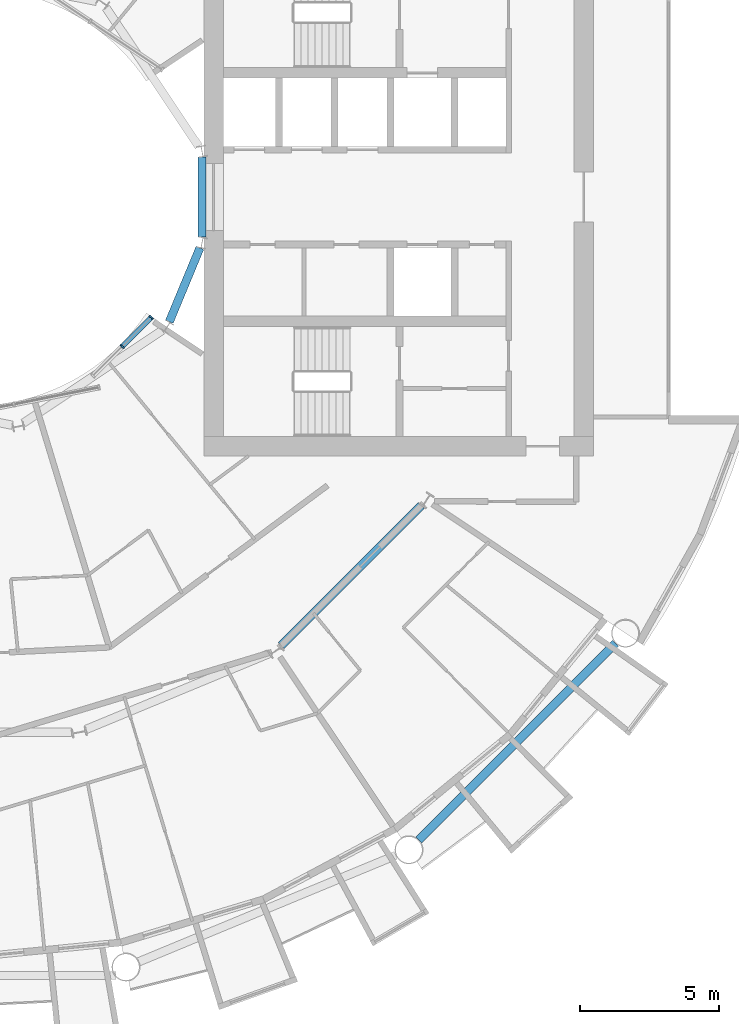
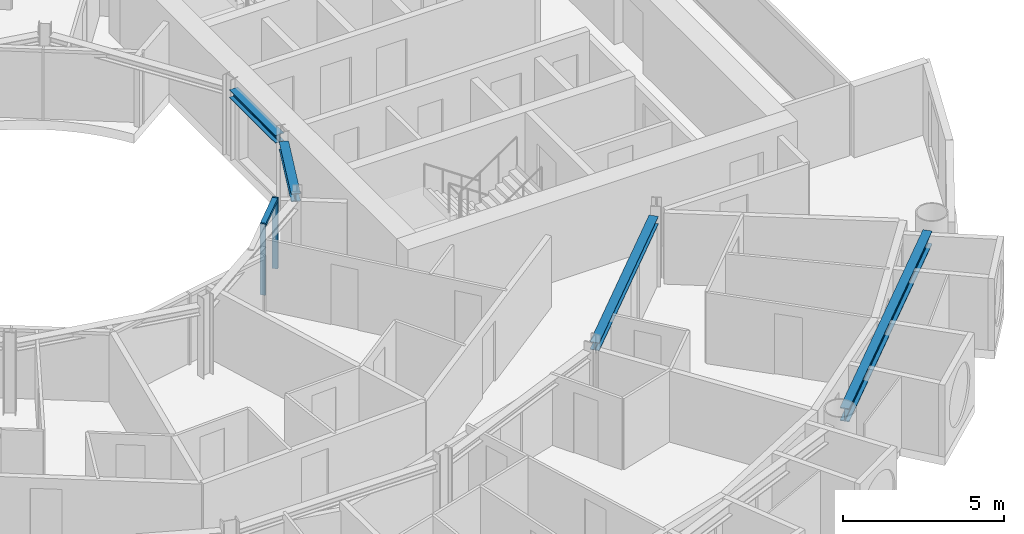
# One storey, part 6 of 26: 4 beams, 3 members, 1 element without a shape of its own.
"""IFC4 building model written with IfcOpenShell, lengths in metres."""

import ifcopenshell
import ifcopenshell.guid

model = None  # the IFC model being written
_history = None  # IfcOwnerHistory: only IFC2X3 demands one
_inside = {}  # id of a spatial element -> (the spatial element, [elements in it])
_under = {}  # id of a project, library or spatial element -> (it, [spatial elements below it])
_declared = {}  # id of a project -> (the project, [libraries it declares])
_typed = {}  # id of a type object -> (the type object, [elements of that type])
_made_of = {}  # id of a material, layer set ... -> (it, [elements and type objects made of it])


def new_model(schema):
    """Start an empty IFC model of exactly this schema.

    Asked for "IFC4X3", IfcOpenShell would pick the latest addendum, in which some entities
    have other attributes; the version numbers below select the first issue.
    IFC2X3 requires an IfcOwnerHistory on every rooted entity: one is made here for all.
    """
    global model, _history
    if schema == "IFC4X3":
        model = ifcopenshell.file(schema_version=(4, 3, 0, 0))
    else:
        model = ifcopenshell.file(schema=schema)
    _inside.clear()
    _under.clear()
    _declared.clear()
    _typed.clear()
    _made_of.clear()
    _history = None
    if model.schema == "IFC2X3":
        org = make("IfcOrganization", Name="unknown")
        user = make(
            "IfcPersonAndOrganization",
            ThePerson=make("IfcPerson", FamilyName="unknown"),
            TheOrganization=org,
        )
        app = make(
            "IfcApplication",
            ApplicationDeveloper=org,
            Version="unknown",
            ApplicationFullName="unknown",
            ApplicationIdentifier="unknown",
        )
        _history = make(
            "IfcOwnerHistory",
            OwningUser=user,
            OwningApplication=app,
            ChangeAction="ADDED",
            CreationDate=0,
        )
    return model


def make(cls, **values):
    """One entity of the class cls with the attributes given. An attribute that is None is left unset."""
    return model.create_entity(
        cls, **{name: value for name, value in values.items() if value is not None}
    )


def rooted(cls, **values):
    """An entity with a GlobalId (a new one), such as an element, a storey or a relation."""
    return make(cls, GlobalId=ifcopenshell.guid.new(), OwnerHistory=_history, **values)


def si_unit(unit_type, name, prefix=None):
    """IfcSIUnit, for example si_unit("LENGTHUNIT", "METRE", prefix="MILLI")."""
    return make("IfcSIUnit", UnitType=unit_type, Prefix=prefix, Name=name)


def assignment(units):
    """IfcUnitAssignment: the units of a project."""
    return None if units is None else make("IfcUnitAssignment", Units=units)


def point(xyz):
    """IfcCartesianPoint."""
    return None if xyz is None else make("IfcCartesianPoint", Coordinates=xyz)


def direction(xyz):
    """IfcDirection."""
    return None if xyz is None else make("IfcDirection", DirectionRatios=xyz)


def frame(location, z_axis=None, x_axis=None):
    """IfcAxis2Placement3D, a coordinate frame: its origin and axes. An axis left out is left unset."""
    return make(
        "IfcAxis2Placement3D",
        Location=point(location),
        Axis=direction(z_axis),
        RefDirection=direction(x_axis),
    )


def frame_2d(location, x_axis=None):
    """IfcAxis2Placement2D, a coordinate frame in the plane: its origin and x axis."""
    return make(
        "IfcAxis2Placement2D", Location=point(location), RefDirection=direction(x_axis)
    )


def origin():
    """The frame at (0, 0, 0) with its axes left unset."""
    return frame((0.0, 0.0, 0.0))


def origin_2d():
    """The frame at (0, 0) in the plane with its x axis left unset."""
    return frame_2d((0.0, 0.0))


def place(relative_to, where):
    """IfcLocalPlacement: puts the frame where relative to a parent placement (None: the world)."""
    return make(
        "IfcLocalPlacement", PlacementRelTo=relative_to, RelativePlacement=where
    )


def context(
    kind, dimensions, precision=None, world=None, true_north=None, identifier=None
):
    """IfcGeometricRepresentationContext, for example the 3D "Model" context."""
    return make(
        "IfcGeometricRepresentationContext",
        ContextIdentifier=identifier,
        ContextType=kind,
        CoordinateSpaceDimension=dimensions,
        Precision=precision,
        WorldCoordinateSystem=world,
        TrueNorth=true_north,
    )


def subcontext(parent, identifier, kind, view, scale=None):
    """IfcGeometricRepresentationSubContext, for example "Body" below "Model"."""
    return make(
        "IfcGeometricRepresentationSubContext",
        ContextIdentifier=identifier,
        ContextType=kind,
        ParentContext=parent,
        TargetScale=scale,
        TargetView=view,
    )


def project(units=None, contexts=None):
    """IfcProject with its units and contexts."""
    return rooted(
        "IfcProject",
        Name="project",
        RepresentationContexts=contexts,
        UnitsInContext=assignment(units),
    )


def spatial(cls, under=None, at=None, **own):
    """A site, building, storey or space (cls), placed at a placement, below another one or the project."""
    s = rooted(cls, ObjectPlacement=at, **own)
    if under is not None:
        _under.setdefault(under.id(), (under, []))[1].append(s)
    return s


def profile(cls, at=None, kind="AREA", **sizes):
    """A parametric profile (cls). Its sizes go by their IFC names, for example OverallWidth=200.0."""
    return make(cls, ProfileType=kind, Position=at, **sizes)


def rectangle(**sizes):
    """IfcRectangleProfileDef."""
    return profile("IfcRectangleProfileDef", **sizes)


def i_section(**sizes):
    """IfcIShapeProfileDef."""
    return profile("IfcIShapeProfileDef", **sizes)


def extrude(swept, where, along, depth):
    """IfcExtrudedAreaSolid: the profile swept, set in the frame where, extruded along a direction by depth."""
    return make(
        "IfcExtrudedAreaSolid",
        SweptArea=swept,
        Position=where,
        ExtrudedDirection=direction(along),
        Depth=depth,
    )


def shape(context_of_items, identifier, shape_type, items):
    """IfcShapeRepresentation: the items that make up one representation, for example the "Body"."""
    return make(
        "IfcShapeRepresentation",
        ContextOfItems=context_of_items,
        RepresentationIdentifier=identifier,
        RepresentationType=shape_type,
        Items=items,
    )


def material(Name=None, Category=None):
    """IfcMaterial."""
    return make("IfcMaterial", Name=Name, Category=Category)


def layer(
    of_material, thickness, ventilated=None, Name=None, Category=None, Priority=None
):
    """IfcMaterialLayer: one layer of a wall or slab, of a material (None: an air gap)."""
    return make(
        "IfcMaterialLayer",
        Material=of_material,
        LayerThickness=thickness,
        IsVentilated=ventilated,
        Name=Name,
        Category=Category,
        Priority=Priority,
    )


def layer_set(layers, Name=None):
    """IfcMaterialLayerSet."""
    return make("IfcMaterialLayerSet", MaterialLayers=layers, LayerSetName=Name)


def material_profile(
    of_material, cross_section, Name=None, Category=None, Priority=None
):
    """IfcMaterialProfile: a cross section and its material."""
    return make(
        "IfcMaterialProfile",
        Name=Name,
        Material=of_material,
        Profile=cross_section,
        Priority=Priority,
        Category=Category,
    )


def profile_set(profiles, Name=None, composite=None):
    """IfcMaterialProfileSet."""
    return make(
        "IfcMaterialProfileSet",
        Name=Name,
        MaterialProfiles=profiles,
        CompositeProfile=composite,
    )


def made_of(thing, what):
    """Note that an element or type object is made of a material, layer set ...; save() writes the relation."""
    if what is not None:
        _made_of.setdefault(what.id(), (what, []))[1].append(thing)
    return thing


def type_object(cls, material=None, **own):
    """A type object (cls), such as IfcWallType, which elements share."""
    return made_of(rooted(cls, **own), material)


def element(
    cls,
    number,
    at=None,
    inside=None,
    cuts=None,
    type_object=None,
    material=None,
    context=None,
    identifier="Body",
    shape_type=None,
    held_by="IfcProductDefinitionShape",
    body=None,
    shapes=None,
    **own,
):
    """One element of the class cls, such as IfcWall. Its Tag is "e" and its number.

    at: its placement. inside: the storey or other place that contains it. cuts: it is an
    opening in that element (IfcRelVoidsElement). A single representation is given by context,
    identifier, shape_type and body (its items); several are given by shapes. held_by: the class
    of the entity that holds the representations. save() writes the other relations.
    """
    e = rooted(cls, Tag="e%d" % number, ObjectPlacement=at, **own)
    if body is not None:
        shapes = [shape(context, identifier, shape_type, body)]
    if shapes is not None:
        e.Representation = make(held_by, Representations=shapes)
    if inside is not None:
        _inside.setdefault(inside.id(), (inside, []))[1].append(e)
    if cuts is not None:
        rooted(
            "IfcRelVoidsElement", RelatingBuildingElement=cuts, RelatedOpeningElement=e
        )
    if type_object is not None:
        _typed.setdefault(type_object.id(), (type_object, []))[1].append(e)
    return made_of(e, material)


def aggregate(whole, parts):
    """IfcRelAggregates: a whole, such as a stair, and the parts it consists of."""
    return rooted("IfcRelAggregates", RelatingObject=whole, RelatedObjects=parts)


def save(model, path):
    """Write the relations noted so far, then the file.

    IfcRelAggregates (storeys below a building ...), IfcRelContainedInSpatialStructure (elements
    in a storey), IfcRelDefinesByType, IfcRelAssociatesMaterial and IfcRelDeclares: one each for
    every whole, place, type object, material and project.
    """
    for whole, parts in _under.values():
        aggregate(whole, parts)
    for where, things in _inside.values():
        rooted(
            "IfcRelContainedInSpatialStructure",
            RelatedElements=things,
            RelatingStructure=where,
        )
    for kind, things in _typed.values():
        rooted("IfcRelDefinesByType", RelatedObjects=things, RelatingType=kind)
    for what, things in _made_of.values():
        rooted("IfcRelAssociatesMaterial", RelatedObjects=things, RelatingMaterial=what)
    for by, libraries in _declared.values():
        rooted("IfcRelDeclares", RelatingContext=by, RelatedDefinitions=libraries)
    model.write(path)


model = new_model("IFC4")

# Units and contexts
model_context = context("Model", 3, precision=1e-05, world=origin(), true_north=direction((0.0, 1.0)))
body_context = subcontext(model_context, "Body", "Model", "MODEL_VIEW")
ifc_project = project(units=[si_unit("LENGTHUNIT", "METRE"), si_unit("AREAUNIT", "SQUARE_METRE"), si_unit("VOLUMEUNIT", "CUBIC_METRE"), si_unit("PLANEANGLEUNIT", "RADIAN"), si_unit("MASSUNIT", "GRAM", prefix="KILO")], contexts=[model_context])

# Site, building, storey
site_placement = place(None, origin())
site = spatial("IfcSite", under=ifc_project, at=site_placement, CompositionType="ELEMENT")
building_placement = place(site_placement, origin())
building = spatial("IfcBuilding", under=site, at=building_placement, Name="Maasbend Ring Residences", CompositionType="ELEMENT")
storey_placement = place(building_placement, frame((0.0, 0.0, 88.0)))
storey = spatial("IfcBuildingStorey", under=building, at=storey_placement, Name="L25", CompositionType="ELEMENT", Elevation=88.0)

# Curtain wall, members
ifc_material_1 = material(Name="Aluminium and clear glass", Category="aluminium")
ifc_layer = layer(ifc_material_1, 0.179931640625)
ifc_layer_set = layer_set([ifc_layer], Name="CW-W")
curtain_wall_type = type_object("IfcCurtainWallType", Name="CW-W", PredefinedType="NOTDEFINED", material=ifc_layer_set)
curtain_wall_placement = place(storey_placement, origin())
curtain_wall = element("IfcCurtainWall", 1, at=curtain_wall_placement, inside=storey, type_object=curtain_wall_type, Name="Well curtain wall S3", PredefinedType="NOTDEFINED")
ifc_material_2 = material(Name="Aluminium 6063-T6", Category="aluminium")
ifc_material_profile_1 = material_profile(ifc_material_2, rectangle(XDim=0.179931640625, YDim=0.06005859375, at=origin_2d()), Name="AL 180x60")
ifc_profile_set_1 = profile_set([ifc_material_profile_1], Name="Aluminium 6063-T6")
member_type_1 = type_object("IfcMemberType", Name="CWM-W", PredefinedType="MULLION", material=ifc_profile_set_1)
member_1_placement = place(storey_placement, frame((5.366943359375, -5.366943359375, 0.0), z_axis=(0.0, 0.0, 1.0), x_axis=(-0.707106781187, 0.707106781187, 0.0)))
member_1 = element("IfcMember", 2, at=member_1_placement, type_object=member_type_1, Name="Mullion well face", PredefinedType="MULLION", context=body_context, shape_type="SweptSolid", body=[
    extrude(rectangle(XDim=0.179931640625, YDim=0.06005859375, at=origin_2d()), origin(), (0.0, 0.0, 1.0), 2.699951171875),
])
member_2_placement = place(storey_placement, frame((6.413330078125, -4.320556640625, 0.0), z_axis=(0.0, 0.0, 1.0), x_axis=(-0.707106781187, 0.707106781187, 0.0)))
member_2 = element("IfcMember", 3, at=member_2_placement, type_object=member_type_1, Name="Mullion well face", PredefinedType="MULLION", context=body_context, shape_type="SweptSolid", body=[
    extrude(rectangle(XDim=0.179931640625, YDim=0.06005859375, at=origin_2d()), origin(), (0.0, 0.0, 1.0), 2.699951171875),
])
ifc_material_3 = material(Name="Aluminium 6063-T6", Category="aluminium")
ifc_material_profile_2 = material_profile(ifc_material_3, rectangle(XDim=0.179931640625, YDim=0.1201171875, at=origin_2d()), Name="AL 180x120")
ifc_profile_set_2 = profile_set([ifc_material_profile_2], Name="Aluminium 6063-T6")
member_type_2 = type_object("IfcMemberType", Name="CWT-W", PredefinedType="USERDEFINED", material=ifc_profile_set_2)
member_3_placement = place(storey_placement, frame((5.38818359375, -5.345703125, 2.639892578125), z_axis=(0.707106781187, 0.707106781187, 0.0), x_axis=(-0.707106781187, 0.707106781187, 0.0)))
member_3 = element("IfcMember", 4, at=member_3_placement, type_object=member_type_2, Name="Transom well face", ObjectType="TRANSOM", PredefinedType="USERDEFINED", context=body_context, shape_type="SweptSolid", body=[
    extrude(rectangle(XDim=0.179931640625, YDim=0.1201171875, at=origin_2d()), origin(), (0.0, 0.0, 1.0), 1.419677734375),
])
aggregate(curtain_wall, [member_1, member_2, member_3])

# Beams
ifc_material_4 = material(Name="Steel S355J2", Category="steel")
ifc_material_profile_3 = material_profile(ifc_material_4, i_section(OverallWidth=0.300048828125, OverallDepth=0.300048828125, WebThickness=0.010986328125, FlangeThickness=0.01904296875, FilletRadius=0.027099609375, at=origin_2d()), Name="HEB 300")
ifc_profile_set_3 = profile_set([ifc_material_profile_3], Name="Steel S355J2")
beam_type_1 = type_object("IfcBeamType", Name="Corridor ring beam HEB 300", PredefinedType="BEAM", material=ifc_profile_set_3)
beam_1_placement = place(storey_placement, frame((11.078125, -16.10791015625, 2.550048828125), z_axis=(0.707106781187, 0.707106781187, 0.0), x_axis=(-0.707106781187, 0.707106781187, 0.0)))
element("IfcBeam", 5, at=beam_1_placement, inside=storey, type_object=beam_type_1, Name="Corridor ring beam", PredefinedType="BEAM", context=body_context, shape_type="SweptSolid", body=[
    extrude(i_section(OverallWidth=0.300048828125, OverallDepth=0.300048828125, WebThickness=0.010986328125, FlangeThickness=0.01904296875, FilletRadius=0.027099609375, at=origin_2d()), origin(), (0.0, 0.0, 1.0), 7.11328125),
])
ifc_material_5 = material(Name="Steel S355J2", Category="steel")
ifc_material_profile_4 = material_profile(ifc_material_5, i_section(OverallWidth=0.300048828125, OverallDepth=0.5, WebThickness=0.014404296875, FlangeThickness=0.028076171875, FilletRadius=0.027099609375, at=origin_2d()), Name="HEB 500")
ifc_profile_set_4 = profile_set([ifc_material_profile_4], Name="Steel S355J2")
beam_type_2 = type_object("IfcBeamType", Name="Spandrel ring beam HEB 500", PredefinedType="SPANDREL", material=ifc_profile_set_4)
beam_2_placement = place(storey_placement, frame((16.0263671875, -23.088134765625, 2.449951171875), z_axis=(0.707106781187, 0.707106781187, 0.0), x_axis=(-0.707106781187, 0.707106781187, 0.0)))
element("IfcBeam", 6, at=beam_2_placement, inside=storey, type_object=beam_type_2, Name="Spandrel ring beam", PredefinedType="SPANDREL", context=body_context, shape_type="SweptSolid", body=[
    extrude(i_section(OverallWidth=0.300048828125, OverallDepth=0.5, WebThickness=0.014404296875, FlangeThickness=0.028076171875, FilletRadius=0.027099609375, at=origin_2d()), origin(), (0.0, 0.0, 1.0), 9.98681640625),
])
ifc_material_6 = material(Name="Steel S355J2", Category="steel")
ifc_material_profile_5 = material_profile(ifc_material_6, i_section(OverallWidth=0.300048828125, OverallDepth=0.300048828125, WebThickness=0.010986328125, FlangeThickness=0.01904296875, FilletRadius=0.027099609375, at=origin_2d()), Name="HEB 300")
ifc_profile_set_5 = profile_set([ifc_material_profile_5], Name="Steel S355J2")
beam_type_3 = type_object("IfcBeamType", Name="Well edge beam HEB 300", PredefinedType="BEAM", material=ifc_profile_set_5)
beam_3_placement = place(storey_placement, frame((7.062255859375, -4.478515625, 2.550048828125), z_axis=(0.382729955172, 0.923860260761, 0.0), x_axis=(-0.923860260761, 0.382729955172, 0.0)))
element("IfcBeam", 7, at=beam_3_placement, inside=storey, type_object=beam_type_3, Name="Well edge beam", PredefinedType="BEAM", context=body_context, shape_type="SweptSolid", body=[
    extrude(i_section(OverallWidth=0.300048828125, OverallDepth=0.300048828125, WebThickness=0.010986328125, FlangeThickness=0.01904296875, FilletRadius=0.027099609375, at=origin_2d()), origin(), (0.0, 0.0, 1.0), 2.869873046875),
])
beam_4_placement = place(storey_placement, frame((8.238525390625, -1.434814453125, 2.550048828125), z_axis=(0.0, 1.0, 0.0), x_axis=(-1.0, 0.0, 0.0)))
element("IfcBeam", 8, at=beam_4_placement, inside=storey, type_object=beam_type_3, Name="Well edge beam", PredefinedType="BEAM", context=body_context, shape_type="SweptSolid", body=[
    extrude(i_section(OverallWidth=0.300048828125, OverallDepth=0.300048828125, WebThickness=0.010986328125, FlangeThickness=0.01904296875, FilletRadius=0.027099609375, at=origin_2d()), origin(), (0.0, 0.0, 1.0), 2.86962890625),
])

save(model, "model.ifc")
